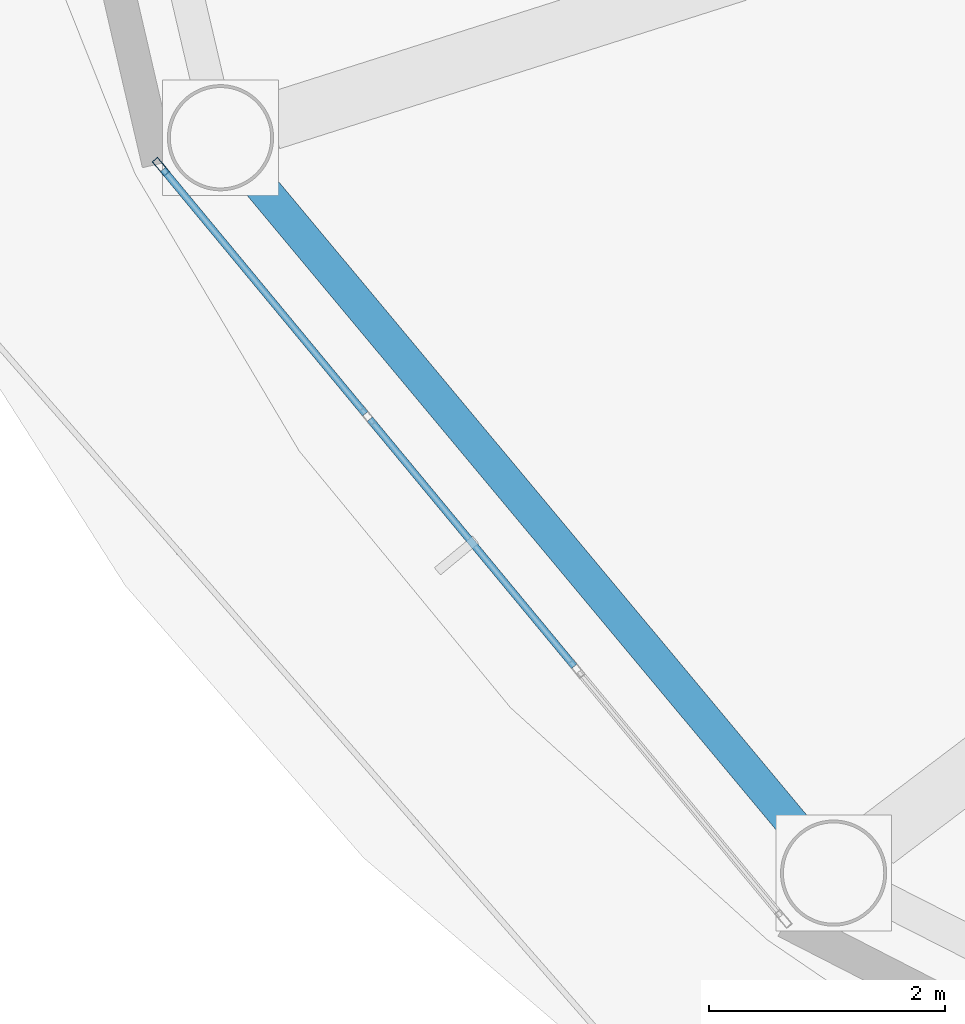
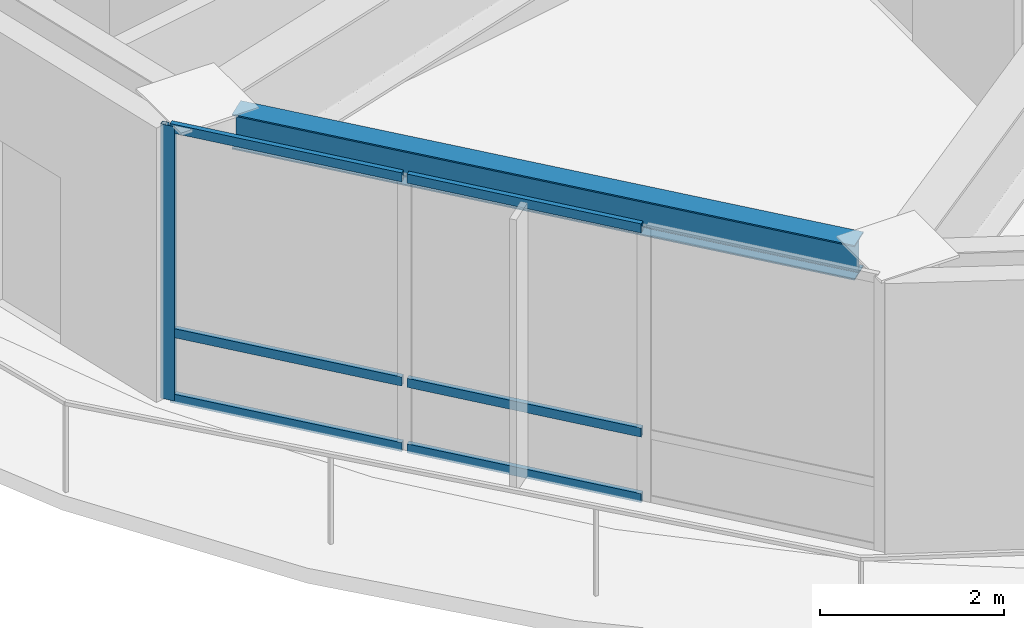
# One storey, part 3 of 24: 7 members, 1 beam, 1 element without a shape of its own.
"""IFC4 building model written with IfcOpenShell, lengths in metres."""

from ifc_helpers import new_model, si_unit, direction, frame, origin, origin_2d, place, context, subcontext, project, spatial, hollow_rectangle, i_section, extrude, material, layer, layer_set, material_profile, profile_set, type_object, element, aggregate, save


model = new_model("IFC4")

# Units and contexts
model_context = context("Model", 3, precision=1e-05, world=origin(), true_north=direction((0.0, 1.0)))
body_context = subcontext(model_context, "Body", "Model", "MODEL_VIEW")
ifc_project = project(units=[si_unit("LENGTHUNIT", "METRE"), si_unit("AREAUNIT", "SQUARE_METRE"), si_unit("VOLUMEUNIT", "CUBIC_METRE"), si_unit("PLANEANGLEUNIT", "RADIAN"), si_unit("MASSUNIT", "GRAM", prefix="KILO")], contexts=[model_context])

# Site, building, storey
site_placement = place(None, origin())
site = spatial("IfcSite", under=ifc_project, at=site_placement, CompositionType="ELEMENT")
building_placement = place(site_placement, origin())
building = spatial("IfcBuilding", under=site, at=building_placement, Name="Sarneth Arch Tower", CompositionType="ELEMENT")
storey_placement = place(building_placement, frame((0.0, 0.0, 312.60009765625)))
storey = spatial("IfcBuildingStorey", under=building, at=storey_placement, Name="L81", CompositionType="ELEMENT", Elevation=312.60009765625)

# Beam
ifc_material_1 = material(Name="Steel S355", Category="steel")
ifc_material_profile_1 = material_profile(ifc_material_1, i_section(OverallWidth=0.280029296875, OverallDepth=0.462890625, WebThickness=0.0107421875, FlangeThickness=0.017333984375, FilletRadius=0.01806640625, at=origin_2d()), Name="W460x113")
ifc_profile_set_1 = profile_set([ifc_material_profile_1], Name="Steel S355")
beam_type = type_object("IfcBeamType", Name="BM-RAD-460A", PredefinedType="BEAM", material=ifc_profile_set_1)
beam_placement = place(storey_placement, frame((25.119384765625, 34.306884765625, 3.408447265625), z_axis=(0.640390876881, -0.768049168222, 0.0), x_axis=(0.768049168222, 0.640390876881, 0.0)))
element("IfcBeam", 1, at=beam_placement, inside=storey, type_object=beam_type, Name="L81 Perimeter spandrel beam 10", PredefinedType="BEAM", context=body_context, shape_type="SweptSolid", body=[
    extrude(i_section(OverallWidth=0.280029296875, OverallDepth=0.462890625, WebThickness=0.0107421875, FlangeThickness=0.017333984375, FilletRadius=0.01806640625, at=origin_2d()), origin(), (0.0, 0.0, 1.0), 7.2099609375),
])

# Curtain wall, members
ifc_material_2 = material(Name="Anodised aluminium Type AA25 and solar-control low-e laminated IGU", Category="aluminium")
ifc_layer = layer(ifc_material_2, 0.179931640625)
ifc_layer_set = layer_set([ifc_layer], Name="Anodised aluminium Type AA25 and solar-control low-e laminated IGU")
curtain_wall_type = type_object("IfcCurtainWallType", Name="CW-RES-HIGH", PredefinedType="NOTDEFINED", material=ifc_layer_set)
curtain_wall_placement = place(storey_placement, origin())
curtain_wall = element("IfcCurtainWall", 2, at=curtain_wall_placement, inside=storey, type_object=curtain_wall_type, Name="L81 Unitised curtain wall facet 10", PredefinedType="NOTDEFINED")
ifc_material_3 = material(Name="Anodised Aluminium 6063-T6", Category="aluminium")
ifc_material_profile_2 = material_profile(ifc_material_3, hollow_rectangle(XDim=0.06005859375, YDim=0.159912109375, WallThickness=0.00390625, at=origin_2d()), Name="AL-MULL-160x60x4")
ifc_profile_set_2 = profile_set([ifc_material_profile_2], Name="Anodised Aluminium 6063-T6")
member_type_1 = type_object("IfcMemberType", Name="CW-MULLION", PredefinedType="MULLION", material=ifc_profile_set_2)
member_1_placement = place(storey_placement, frame((24.325439453125, 34.407470703125, 0.0), z_axis=(0.0, 0.0, 1.0), x_axis=(0.770359245933, 0.637610094184, 0.0)))
member_1 = element("IfcMember", 3, at=member_1_placement, type_object=member_type_1, Name="CW-SYS-6 mullion 1", PredefinedType="MULLION", context=body_context, shape_type="SweptSolid", body=[
    extrude(hollow_rectangle(XDim=0.06005859375, YDim=0.159912109375, WallThickness=0.00390625, at=origin_2d()), origin(), (0.0, 0.0, 1.0), 3.639892578125),
])
ifc_material_4 = material(Name="Anodised Aluminium 6063-T6", Category="aluminium")
ifc_material_profile_3 = material_profile(ifc_material_4, hollow_rectangle(XDim=0.06005859375, YDim=0.1201171875, WallThickness=0.00390625, at=origin_2d()), Name="AL-TRAN-120x60x4")
ifc_profile_set_3 = profile_set([ifc_material_profile_3], Name="Anodised Aluminium 6063-T6")
member_type_2 = type_object("IfcMemberType", Name="CW-TRANSOM", PredefinedType="USERDEFINED", material=ifc_profile_set_3)
member_2_placement = place(storey_placement, frame((24.344482421875, 34.38427734375, 0.02978515625), z_axis=(0.637651400067, -0.770325056059, 0.0), x_axis=(0.770325056059, 0.637651400067, 0.0)))
member_2 = element("IfcMember", 4, at=member_2_placement, type_object=member_type_2, Name="CW-SYS-6 transom 1.1", ObjectType="TRANSOM", PredefinedType="USERDEFINED", context=body_context, shape_type="SweptSolid", body=[
    extrude(hollow_rectangle(XDim=0.06005859375, YDim=0.1201171875, WallThickness=0.00390625, at=origin_2d()), origin(), (0.0, 0.0, 1.0), 2.6865234375),
])
member_3_placement = place(storey_placement, frame((24.344482421875, 34.38427734375, 0.89990234375), z_axis=(0.637651400067, -0.770325056059, 0.0), x_axis=(0.770325056059, 0.637651400067, 0.0)))
member_3 = element("IfcMember", 5, at=member_3_placement, type_object=member_type_2, Name="CW-SYS-6 transom 1.2", ObjectType="TRANSOM", PredefinedType="USERDEFINED", context=body_context, shape_type="SweptSolid", body=[
    extrude(hollow_rectangle(XDim=0.06005859375, YDim=0.1201171875, WallThickness=0.00390625, at=origin_2d()), origin(), (0.0, 0.0, 1.0), 2.6865234375),
])
member_4_placement = place(storey_placement, frame((24.344482421875, 34.38427734375, 3.60986328125), z_axis=(0.637651400067, -0.770325056059, 0.0), x_axis=(0.770325056059, 0.637651400067, 0.0)))
member_4 = element("IfcMember", 6, at=member_4_placement, type_object=member_type_2, Name="CW-SYS-6 transom 1.3", ObjectType="TRANSOM", PredefinedType="USERDEFINED", context=body_context, shape_type="SweptSolid", body=[
    extrude(hollow_rectangle(XDim=0.06005859375, YDim=0.1201171875, WallThickness=0.00390625, at=origin_2d()), origin(), (0.0, 0.0, 1.0), 2.6865234375),
])
member_5_placement = place(storey_placement, frame((26.095703125, 32.268310546875, 0.02978515625), z_axis=(0.637617371902, -0.770353222261, 0.0), x_axis=(0.770353222261, 0.637617371902, 0.0)))
member_5 = element("IfcMember", 7, at=member_5_placement, type_object=member_type_2, Name="CW-SYS-6 transom 2.1", ObjectType="TRANSOM", PredefinedType="USERDEFINED", context=body_context, shape_type="SweptSolid", body=[
    extrude(hollow_rectangle(XDim=0.06005859375, YDim=0.1201171875, WallThickness=0.00390625, at=origin_2d()), origin(), (0.0, 0.0, 1.0), 2.716552734375),
])
member_6_placement = place(storey_placement, frame((26.095703125, 32.268310546875, 0.89990234375), z_axis=(0.637617371902, -0.770353222261, 0.0), x_axis=(0.770353222261, 0.637617371902, 0.0)))
member_6 = element("IfcMember", 8, at=member_6_placement, type_object=member_type_2, Name="CW-SYS-6 transom 2.2", ObjectType="TRANSOM", PredefinedType="USERDEFINED", context=body_context, shape_type="SweptSolid", body=[
    extrude(hollow_rectangle(XDim=0.06005859375, YDim=0.1201171875, WallThickness=0.00390625, at=origin_2d()), origin(), (0.0, 0.0, 1.0), 2.716552734375),
])
member_7_placement = place(storey_placement, frame((26.095703125, 32.268310546875, 3.60986328125), z_axis=(0.637617371902, -0.770353222261, 0.0), x_axis=(0.770353222261, 0.637617371902, 0.0)))
member_7 = element("IfcMember", 9, at=member_7_placement, type_object=member_type_2, Name="CW-SYS-6 transom 2.3", ObjectType="TRANSOM", PredefinedType="USERDEFINED", context=body_context, shape_type="SweptSolid", body=[
    extrude(hollow_rectangle(XDim=0.06005859375, YDim=0.1201171875, WallThickness=0.00390625, at=origin_2d()), origin(), (0.0, 0.0, 1.0), 2.716552734375),
])
aggregate(curtain_wall, [member_1, member_2, member_3, member_4, member_5, member_6, member_7])

save(model, "model.ifc")
